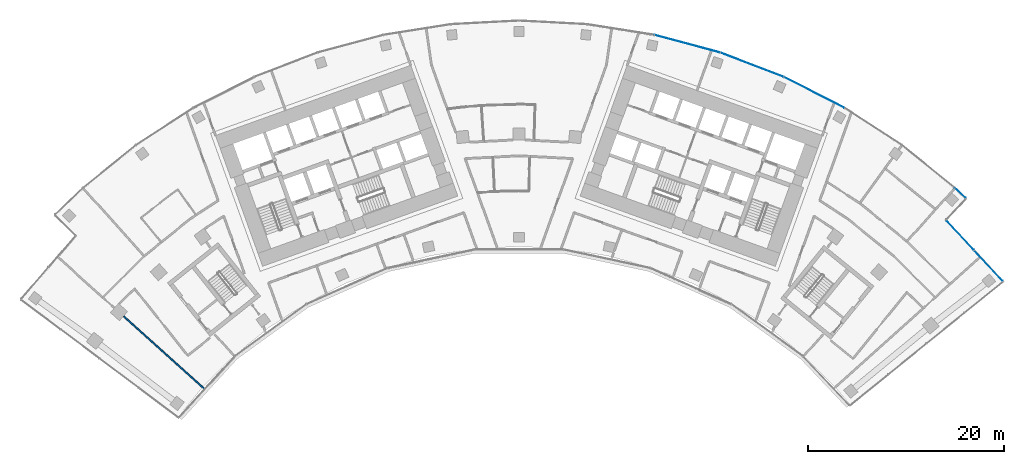
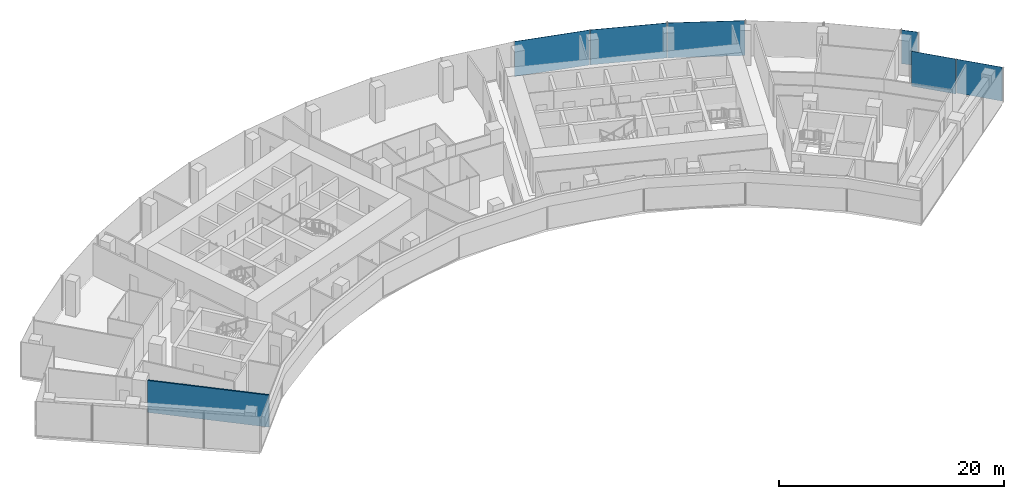
# One storey, part 12 of 21: 6 plates, 1 wall, 2 elements without a shape of their own.
"""IFC4 building model written with IfcOpenShell, lengths in metres."""

from ifc_helpers import new_model, si_unit, direction, frame, frame_2d, origin, origin_2d, place, context, subcontext, project, spatial, rectangle, extrude, material, layer, layer_set, type_object, element, aggregate, save


model = new_model("IFC4")

# Units and contexts
model_context = context("Model", 3, precision=1e-05, world=origin(), true_north=direction((0.0, 1.0)))
body_context = subcontext(model_context, "Body", "Model", "MODEL_VIEW")
ifc_project = project(units=[si_unit("LENGTHUNIT", "METRE"), si_unit("AREAUNIT", "SQUARE_METRE"), si_unit("VOLUMEUNIT", "CUBIC_METRE"), si_unit("PLANEANGLEUNIT", "RADIAN"), si_unit("MASSUNIT", "GRAM", prefix="KILO")], contexts=[model_context])

# Site, building, storey
site_placement = place(None, origin())
site = spatial("IfcSite", under=ifc_project, at=site_placement, CompositionType="ELEMENT")
building_placement = place(site_placement, origin())
building = spatial("IfcBuilding", under=site, at=building_placement, Name="Stone Belt Terrace Tower", CompositionType="ELEMENT")
storey_placement = place(building_placement, frame((0.0, 0.0, 163.0)))
storey = spatial("IfcBuildingStorey", under=building, at=storey_placement, Name="L39", CompositionType="ELEMENT", Elevation=163.0)

# Curtain wall, plates
ifc_material_1 = material(Name="Aluminium 6063-T6 anodised frame", Category="aluminium")
ifc_layer_1 = layer(ifc_material_1, 0.14990234375)
ifc_layer_set_1 = layer_set([ifc_layer_1], Name="CW-A unitised convex-face curtain wall")
curtain_wall_type_1 = type_object("IfcCurtainWallType", Name="CW-A unitised convex-face curtain wall", PredefinedType="NOTDEFINED", material=ifc_layer_set_1)
curtain_wall_1_placement = place(storey_placement, origin())
curtain_wall_1 = element("IfcCurtainWall", 1, at=curtain_wall_1_placement, inside=storey, type_object=curtain_wall_type_1, Name="CW-A convex face L39", PredefinedType="NOTDEFINED")
ifc_material_2 = material(Name="Clear double glazed unit")
ifc_layer_2 = layer(ifc_material_2, 0.031982421875)
ifc_layer_set_2 = layer_set([ifc_layer_2], Name="CW-A glass panel 32")
plate_type_1 = type_object("IfcPlateType", Name="CW-A glass panel 32", PredefinedType="CURTAIN_PANEL", material=ifc_layer_set_2)
plate_1_placement = place(storey_placement, frame((45.110595703125, 48.9560546875, 0.14013671875), z_axis=(0.0, 0.0, 1.0), x_axis=(-0.735559243492, 0.67746040424, 0.0)))
plate_1 = element("IfcPlate", 2, at=plate_1_placement, type_object=plate_type_1, Name="CW-A panel 1.1", PredefinedType="CURTAIN_PANEL", context=body_context, shape_type="SweptSolid", body=[
    extrude(rectangle(XDim=1.4697265625, YDim=0.031982421875, at=origin_2d()), origin(), (0.0, 0.0, 1.0), 3.659912109375),
])
plate_2_placement = place(storey_placement, frame((30.18310546875, 59.237548828125, 0.0), z_axis=(0.0, 0.0, 1.0), x_axis=(-0.891006524188, 0.45399049974, 0.0)))
plate_2 = element("IfcPlate", 3, at=plate_2_placement, type_object=plate_type_1, Name="CW-A panel 4.1", PredefinedType="CURTAIN_PANEL", context=body_context, shape_type="SweptSolid", body=[
    extrude(rectangle(XDim=6.90087890625, YDim=0.031982421875, at=origin_2d()), origin(), (0.0, 0.0, 1.0), 3.800048828125),
])
plate_3_placement = place(storey_placement, frame((23.82568359375, 62.068115234375, 0.0), z_axis=(0.0, 0.0, 1.0), x_axis=(-0.933580426497, 0.358367949545, 0.0)))
plate_3 = element("IfcPlate", 4, at=plate_3_placement, type_object=plate_type_1, Name="CW-A panel 5.1", PredefinedType="CURTAIN_PANEL", context=body_context, shape_type="SweptSolid", body=[
    extrude(rectangle(XDim=6.90087890625, YDim=0.031982421875, at=origin_2d()), origin(), (0.0, 0.0, 1.0), 3.800048828125),
])
plate_4_placement = place(storey_placement, frame((17.207275390625, 64.218505859375, 0.0), z_axis=(0.0, 0.0, 1.0), x_axis=(-0.965925826289, 0.258819045103, 0.0)))
plate_4 = element("IfcPlate", 5, at=plate_4_placement, type_object=plate_type_1, Name="CW-A panel 6.1", PredefinedType="CURTAIN_PANEL", context=body_context, shape_type="SweptSolid", body=[
    extrude(rectangle(XDim=6.90087890625, YDim=0.031982421875, at=origin_2d()), origin(), (0.0, 0.0, 1.0), 3.800048828125),
])
aggregate(curtain_wall_1, [plate_1, plate_2, plate_3, plate_4])

ifc_layer_3 = layer(ifc_material_1, 0.14990234375)
ifc_layer_set_3 = layer_set([ifc_layer_3], Name="CW-C stick curtain wall, horn ends and notches")
curtain_wall_type_2 = type_object("IfcCurtainWallType", Name="CW-C stick curtain wall, horn ends and notches", PredefinedType="NOTDEFINED", material=ifc_layer_set_3)
curtain_wall_2_placement = place(storey_placement, origin())
curtain_wall_2 = element("IfcCurtainWall", 6, at=curtain_wall_2_placement, inside=storey, type_object=curtain_wall_type_2, Name="CW-C notch face L39", PredefinedType="NOTDEFINED")
ifc_layer_4 = layer(ifc_material_2, 0.028076171875)
ifc_layer_set_4 = layer_set([ifc_layer_4], Name="CW-C glass panel 28")
plate_type_2 = type_object("IfcPlateType", Name="CW-C glass panel 28", PredefinedType="CURTAIN_PANEL", material=ifc_layer_set_4)
plate_5_placement = place(storey_placement, frame((47.98779296875, 41.535400390625, 0.1201171875), z_axis=(0.0, 0.0, 1.0), x_axis=(-0.679848778253, 0.733352329176, 0.0)))
plate_5 = element("IfcPlate", 7, at=plate_5_placement, type_object=plate_type_2, Name="CW-C panel 1.1", PredefinedType="CURTAIN_PANEL", context=body_context, shape_type="SweptSolid", body=[
    extrude(rectangle(XDim=4.268798828125, YDim=0.028076171875, at=origin_2d()), origin(), (0.0, 0.0, 1.0), 3.679931640625),
])
plate_6_placement = place(storey_placement, frame((45.09521484375, 44.655517578125, 0.0), z_axis=(0.0, 0.0, 1.0), x_axis=(-0.679848778253, 0.733352329176, 0.0)))
plate_6 = element("IfcPlate", 8, at=plate_6_placement, type_object=plate_type_2, Name="CW-C panel 2.1", PredefinedType="CURTAIN_PANEL", context=body_context, shape_type="SweptSolid", body=[
    extrude(rectangle(XDim=4.12060546875, YDim=0.028076171875, at=origin_2d()), origin(), (0.0, 0.0, 1.0), 3.800048828125),
])
aggregate(curtain_wall_2, [plate_5, plate_6])

# Wall
ifc_material_3 = material(Name="Gypsum board partition")
ifc_layer_5 = layer(ifc_material_3, 0.14990234375)
ifc_layer_set_5 = layer_set([ifc_layer_5], Name="PARTITION 150 EI 60")
wall_type = type_object("IfcWallType", Name="PARTITION 150 EI 60", PredefinedType="PARTITIONING", material=ifc_layer_set_5)
wall_placement = place(storey_placement, frame((-40.385986328125, 36.3642578125, 0.0), z_axis=(0.0, 0.0, 1.0), x_axis=(0.743128216334, -0.669149052221, 0.0)))
element("IfcWall", 9, at=wall_placement, inside=storey, type_object=wall_type, Name="L39/wall/i043", PredefinedType="PARTITIONING", context=body_context, shape_type="SweptSolid", body=[
    extrude(rectangle(XDim=11.048828125, YDim=0.14990234375, at=frame_2d((5.5244140625, 0.0))), origin(), (0.0, 0.0, 1.0), 3.47998046875),
])

save(model, "model.ifc")
